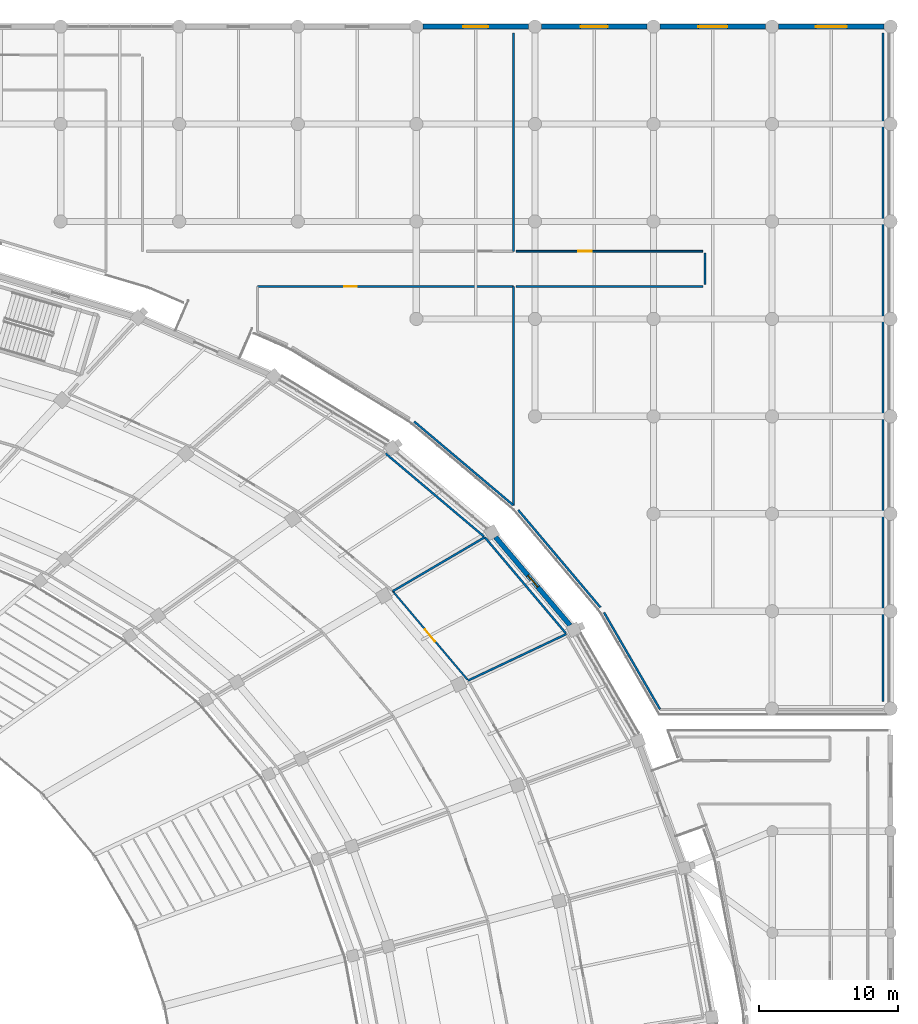
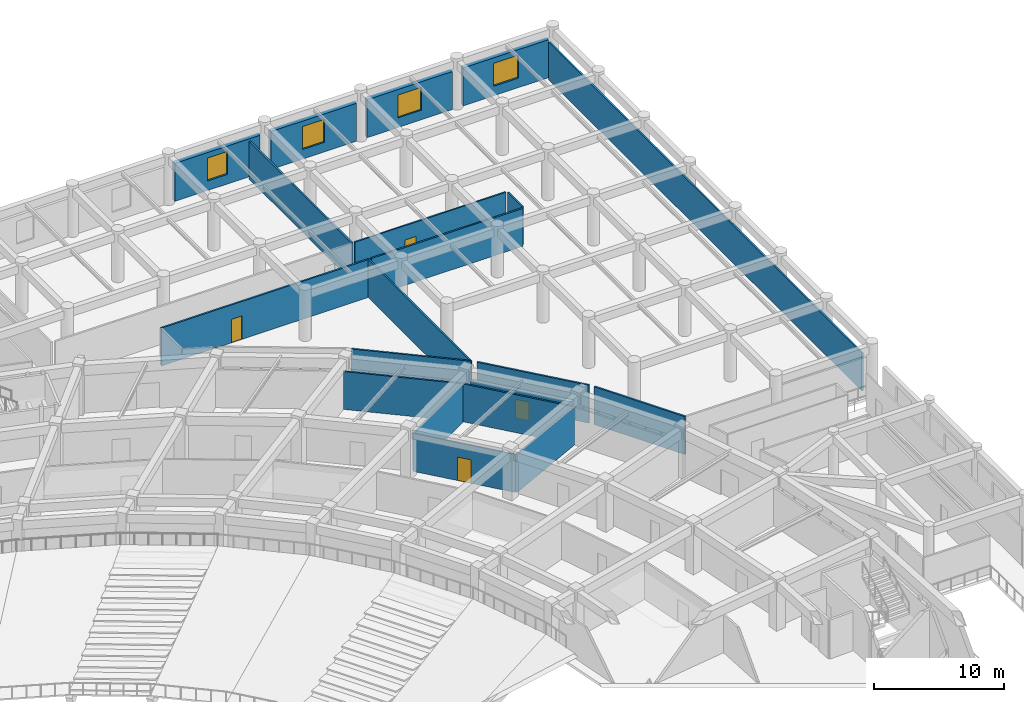
# One storey, part 117 of 152: 20 walls, 5 windows, 3 doors, 8 openings.
"""IFC4 building model written with IfcOpenShell, lengths in metres."""

import ifcopenshell
import ifcopenshell.guid

model = None  # the IFC model being written
_history = None  # IfcOwnerHistory: only IFC2X3 demands one
_inside = {}  # id of a spatial element -> (the spatial element, [elements in it])
_under = {}  # id of a project, library or spatial element -> (it, [spatial elements below it])
_declared = {}  # id of a project -> (the project, [libraries it declares])
_typed = {}  # id of a type object -> (the type object, [elements of that type])
_made_of = {}  # id of a material, layer set ... -> (it, [elements and type objects made of it])


def new_model(schema):
    """Start an empty IFC model of exactly this schema.

    Asked for "IFC4X3", IfcOpenShell would pick the latest addendum, in which some entities
    have other attributes; the version numbers below select the first issue.
    IFC2X3 requires an IfcOwnerHistory on every rooted entity: one is made here for all.
    """
    global model, _history
    if schema == "IFC4X3":
        model = ifcopenshell.file(schema_version=(4, 3, 0, 0))
    else:
        model = ifcopenshell.file(schema=schema)
    _inside.clear()
    _under.clear()
    _declared.clear()
    _typed.clear()
    _made_of.clear()
    _history = None
    if model.schema == "IFC2X3":
        org = make("IfcOrganization", Name="unknown")
        user = make(
            "IfcPersonAndOrganization",
            ThePerson=make("IfcPerson", FamilyName="unknown"),
            TheOrganization=org,
        )
        app = make(
            "IfcApplication",
            ApplicationDeveloper=org,
            Version="unknown",
            ApplicationFullName="unknown",
            ApplicationIdentifier="unknown",
        )
        _history = make(
            "IfcOwnerHistory",
            OwningUser=user,
            OwningApplication=app,
            ChangeAction="ADDED",
            CreationDate=0,
        )
    return model


def make(cls, **values):
    """One entity of the class cls with the attributes given. An attribute that is None is left unset."""
    return model.create_entity(
        cls, **{name: value for name, value in values.items() if value is not None}
    )


def rooted(cls, **values):
    """An entity with a GlobalId (a new one), such as an element, a storey or a relation."""
    return make(cls, GlobalId=ifcopenshell.guid.new(), OwnerHistory=_history, **values)


def si_unit(unit_type, name, prefix=None):
    """IfcSIUnit, for example si_unit("LENGTHUNIT", "METRE", prefix="MILLI")."""
    return make("IfcSIUnit", UnitType=unit_type, Prefix=prefix, Name=name)


def assignment(units):
    """IfcUnitAssignment: the units of a project."""
    return None if units is None else make("IfcUnitAssignment", Units=units)


def point(xyz):
    """IfcCartesianPoint."""
    return None if xyz is None else make("IfcCartesianPoint", Coordinates=xyz)


def direction(xyz):
    """IfcDirection."""
    return None if xyz is None else make("IfcDirection", DirectionRatios=xyz)


def frame(location, z_axis=None, x_axis=None):
    """IfcAxis2Placement3D, a coordinate frame: its origin and axes. An axis left out is left unset."""
    return make(
        "IfcAxis2Placement3D",
        Location=point(location),
        Axis=direction(z_axis),
        RefDirection=direction(x_axis),
    )


def frame_2d(location, x_axis=None):
    """IfcAxis2Placement2D, a coordinate frame in the plane: its origin and x axis."""
    return make(
        "IfcAxis2Placement2D", Location=point(location), RefDirection=direction(x_axis)
    )


def origin():
    """The frame at (0, 0, 0) with its axes left unset."""
    return frame((0.0, 0.0, 0.0))


def place(relative_to, where):
    """IfcLocalPlacement: puts the frame where relative to a parent placement (None: the world)."""
    return make(
        "IfcLocalPlacement", PlacementRelTo=relative_to, RelativePlacement=where
    )


def context(
    kind, dimensions, precision=None, world=None, true_north=None, identifier=None
):
    """IfcGeometricRepresentationContext, for example the 3D "Model" context."""
    return make(
        "IfcGeometricRepresentationContext",
        ContextIdentifier=identifier,
        ContextType=kind,
        CoordinateSpaceDimension=dimensions,
        Precision=precision,
        WorldCoordinateSystem=world,
        TrueNorth=true_north,
    )


def subcontext(parent, identifier, kind, view, scale=None):
    """IfcGeometricRepresentationSubContext, for example "Body" below "Model"."""
    return make(
        "IfcGeometricRepresentationSubContext",
        ContextIdentifier=identifier,
        ContextType=kind,
        ParentContext=parent,
        TargetScale=scale,
        TargetView=view,
    )


def project(units=None, contexts=None):
    """IfcProject with its units and contexts."""
    return rooted(
        "IfcProject",
        Name="project",
        RepresentationContexts=contexts,
        UnitsInContext=assignment(units),
    )


def spatial(cls, under=None, at=None, **own):
    """A site, building, storey or space (cls), placed at a placement, below another one or the project."""
    s = rooted(cls, ObjectPlacement=at, **own)
    if under is not None:
        _under.setdefault(under.id(), (under, []))[1].append(s)
    return s


def profile(cls, at=None, kind="AREA", **sizes):
    """A parametric profile (cls). Its sizes go by their IFC names, for example OverallWidth=200.0."""
    return make(cls, ProfileType=kind, Position=at, **sizes)


def rectangle(**sizes):
    """IfcRectangleProfileDef."""
    return profile("IfcRectangleProfileDef", **sizes)


def extrude(swept, where, along, depth):
    """IfcExtrudedAreaSolid: the profile swept, set in the frame where, extruded along a direction by depth."""
    return make(
        "IfcExtrudedAreaSolid",
        SweptArea=swept,
        Position=where,
        ExtrudedDirection=direction(along),
        Depth=depth,
    )


def shape(context_of_items, identifier, shape_type, items):
    """IfcShapeRepresentation: the items that make up one representation, for example the "Body"."""
    return make(
        "IfcShapeRepresentation",
        ContextOfItems=context_of_items,
        RepresentationIdentifier=identifier,
        RepresentationType=shape_type,
        Items=items,
    )


def material(Name=None, Category=None):
    """IfcMaterial."""
    return make("IfcMaterial", Name=Name, Category=Category)


def layer(
    of_material, thickness, ventilated=None, Name=None, Category=None, Priority=None
):
    """IfcMaterialLayer: one layer of a wall or slab, of a material (None: an air gap)."""
    return make(
        "IfcMaterialLayer",
        Material=of_material,
        LayerThickness=thickness,
        IsVentilated=ventilated,
        Name=Name,
        Category=Category,
        Priority=Priority,
    )


def layer_set(layers, Name=None):
    """IfcMaterialLayerSet."""
    return make("IfcMaterialLayerSet", MaterialLayers=layers, LayerSetName=Name)


def made_of(thing, what):
    """Note that an element or type object is made of a material, layer set ...; save() writes the relation."""
    if what is not None:
        _made_of.setdefault(what.id(), (what, []))[1].append(thing)
    return thing


def type_object(cls, material=None, **own):
    """A type object (cls), such as IfcWallType, which elements share."""
    return made_of(rooted(cls, **own), material)


def element(
    cls,
    number,
    at=None,
    inside=None,
    cuts=None,
    type_object=None,
    material=None,
    context=None,
    identifier="Body",
    shape_type=None,
    held_by="IfcProductDefinitionShape",
    body=None,
    shapes=None,
    **own,
):
    """One element of the class cls, such as IfcWall. Its Tag is "e" and its number.

    at: its placement. inside: the storey or other place that contains it. cuts: it is an
    opening in that element (IfcRelVoidsElement). A single representation is given by context,
    identifier, shape_type and body (its items); several are given by shapes. held_by: the class
    of the entity that holds the representations. save() writes the other relations.
    """
    e = rooted(cls, Tag="e%d" % number, ObjectPlacement=at, **own)
    if body is not None:
        shapes = [shape(context, identifier, shape_type, body)]
    if shapes is not None:
        e.Representation = make(held_by, Representations=shapes)
    if inside is not None:
        _inside.setdefault(inside.id(), (inside, []))[1].append(e)
    if cuts is not None:
        rooted(
            "IfcRelVoidsElement", RelatingBuildingElement=cuts, RelatedOpeningElement=e
        )
    if type_object is not None:
        _typed.setdefault(type_object.id(), (type_object, []))[1].append(e)
    return made_of(e, material)


def fill(opening, filler):
    """IfcRelFillsElement: the door or window that sits in an opening."""
    return rooted(
        "IfcRelFillsElement",
        RelatingOpeningElement=opening,
        RelatedBuildingElement=filler,
    )


def aggregate(whole, parts):
    """IfcRelAggregates: a whole, such as a stair, and the parts it consists of."""
    return rooted("IfcRelAggregates", RelatingObject=whole, RelatedObjects=parts)


def save(model, path):
    """Write the relations noted so far, then the file.

    IfcRelAggregates (storeys below a building ...), IfcRelContainedInSpatialStructure (elements
    in a storey), IfcRelDefinesByType, IfcRelAssociatesMaterial and IfcRelDeclares: one each for
    every whole, place, type object, material and project.
    """
    for whole, parts in _under.values():
        aggregate(whole, parts)
    for where, things in _inside.values():
        rooted(
            "IfcRelContainedInSpatialStructure",
            RelatedElements=things,
            RelatingStructure=where,
        )
    for kind, things in _typed.values():
        rooted("IfcRelDefinesByType", RelatedObjects=things, RelatingType=kind)
    for what, things in _made_of.values():
        rooted("IfcRelAssociatesMaterial", RelatedObjects=things, RelatingMaterial=what)
    for by, libraries in _declared.values():
        rooted("IfcRelDeclares", RelatingContext=by, RelatedDefinitions=libraries)
    model.write(path)


model = new_model("IFC4")

# Units and contexts
model_context = context("Model", 3, precision=1e-05, world=origin(), true_north=direction((0.0, 1.0)))
body_context = subcontext(model_context, "Body", "Model", "MODEL_VIEW")
ifc_project = project(units=[si_unit("LENGTHUNIT", "METRE"), si_unit("AREAUNIT", "SQUARE_METRE"), si_unit("VOLUMEUNIT", "CUBIC_METRE"), si_unit("PLANEANGLEUNIT", "RADIAN"), si_unit("MASSUNIT", "GRAM", prefix="KILO")], contexts=[model_context])

# Site, building, storey
site_placement = place(None, origin())
site = spatial("IfcSite", under=ifc_project, at=site_placement, CompositionType="ELEMENT")
building_placement = place(site_placement, origin())
building = spatial("IfcBuilding", under=site, at=building_placement, Name="Mphavela Belvedere Stadium", CompositionType="ELEMENT")
storey_placement = place(building_placement, frame((0.0, 0.0, 5.39990234375)))
storey = spatial("IfcBuildingStorey", under=building, at=storey_placement, Name="L01", CompositionType="ELEMENT", Elevation=5.39990234375)

# Wall, opening, window
ifc_material_1 = material(Name="Honed ashlar limestone masonry", Category="masonry")
ifc_layer_1 = layer(ifc_material_1, 0.35009765625)
ifc_layer_set_1 = layer_set([ifc_layer_1], Name="Honed ashlar limestone masonry")
wall_type_1 = type_object("IfcWallType", Name="WAL-EXT-ASHLAR-350", PredefinedType="STANDARD", material=ifc_layer_set_1)
wall_1_placement = place(storey_placement, frame((206.969482421875, 130.984619140625, 0.0), z_axis=(0.0, 0.0, 1.0), x_axis=(-0.645167090332, 0.764041507742, 0.0)))
wall_1 = element("IfcWall", 1, at=wall_1_placement, inside=storey, type_object=wall_type_1, Name="Classical ashlar facade wall L01-05", PredefinedType="STANDARD", context=body_context, shape_type="SweptSolid", body=[
    extrude(rectangle(XDim=8.305419921875, YDim=0.35009765625, at=frame_2d((4.15283203125, 0.0))), origin(), (0.0, 0.0, 1.0), 3.570068359375),
])
opening_1_placement = place(wall_1_placement, frame((3.602783203125, 0.0, 0.89990234375)))
opening_1 = element("IfcOpeningElement", 2, at=opening_1_placement, cuts=wall_1, Name="Opening W-012", PredefinedType="OPENING", context=body_context, shape_type="SweptSolid", body=[
    extrude(rectangle(XDim=1.10009765625, YDim=1.75, at=frame_2d((0.550048828125, 0.875))), frame((0.0, 0.18505859375, 0.0), z_axis=(0.0, -1.0, 0.0), x_axis=(1.0, 0.0, 0.0)), (0.0, 0.0, 1.0), 0.3701171875),
])
ifc_material_2 = material(Name="Bronze-anodised thermally broken aluminium window", Category="aluminium")
window_type_1 = type_object("IfcWindowType", Name="WIN-EXT-12", PartitioningType="SINGLE_PANEL", PredefinedType="WINDOW", material=ifc_material_2)
window_1_placement = place(opening_1_placement, origin())
window_1 = element("IfcWindow", 3, at=window_1_placement, inside=storey, type_object=window_type_1, Name="Belvedere gallery window W-012", OverallHeight=1.75, OverallWidth=1.10009765625, PartitioningType="SINGLE_PANEL", PredefinedType="WINDOW", context=body_context, shape_type="SweptSolid", body=[
    extrude(rectangle(XDim=1.10009765625, YDim=1.75, at=frame_2d((0.550048828125, 0.875))), frame((0.0, 0.030029296875, 0.0), z_axis=(0.0, -1.0, 0.0), x_axis=(1.0, 0.0, 0.0)), (0.0, 0.0, 1.0), 0.06005859375),
])
fill(opening_1, window_1)

wall_2_placement = place(storey_placement, frame((196.39892578125, 174.0, 0.0), z_axis=(0.0, 0.0, 1.0), x_axis=(1.0, 0.0, 0.0)))
wall_2 = element("IfcWall", 4, at=wall_2_placement, inside=storey, type_object=wall_type_1, Name="North Mast and Ceremonial End Forecourt outer facade bay L01-24", PredefinedType="STANDARD", context=body_context, shape_type="SweptSolid", body=[
    extrude(rectangle(XDim=7.572021484375, YDim=0.35009765625, at=frame_2d((3.7861328125, 0.0))), origin(), (0.0, 0.0, 1.0), 3.56005859375),
])
opening_2_placement = place(wall_2_placement, frame((2.885986328125, 0.0, 0.89990234375)))
opening_2 = element("IfcOpeningElement", 5, at=opening_2_placement, cuts=wall_2, Name="Opening W-171", PredefinedType="OPENING", context=body_context, shape_type="SweptSolid", body=[
    extrude(rectangle(XDim=1.800048828125, YDim=2.14990234375, at=frame_2d((0.89990234375, 1.074951171875))), frame((0.0, 0.18505859375, 0.0), z_axis=(0.0, -1.0, 0.0), x_axis=(1.0, 0.0, 0.0)), (0.0, 0.0, 1.0), 0.3701171875),
])
ifc_material_3 = material(Name="Bronze-anodised thermally broken aluminium window", Category="aluminium")
window_type_2 = type_object("IfcWindowType", Name="WIN-EXT-39", PartitioningType="SINGLE_PANEL", PredefinedType="WINDOW", material=ifc_material_3)
window_2_placement = place(opening_2_placement, origin())
window_2 = element("IfcWindow", 6, at=window_2_placement, inside=storey, type_object=window_type_2, Name="North Mast and Ceremonial End Forecourt classical window W-171", OverallHeight=2.14990234375, OverallWidth=1.800048828125, PartitioningType="SINGLE_PANEL", PredefinedType="WINDOW", context=body_context, shape_type="SweptSolid", body=[
    extrude(rectangle(XDim=1.800048828125, YDim=2.14990234375, at=frame_2d((0.89990234375, 1.074951171875))), frame((0.0, 0.030029296875, 0.0), z_axis=(0.0, -1.0, 0.0), x_axis=(1.0, 0.0, 0.0)), (0.0, 0.0, 1.0), 0.06005859375),
])
fill(opening_2, window_2)

wall_3_placement = place(storey_placement, frame((204.9169921875, 174.0, 0.0), z_axis=(0.0, 0.0, 1.0), x_axis=(1.0, 0.0, 0.0)))
wall_3 = element("IfcWall", 7, at=wall_3_placement, inside=storey, type_object=wall_type_1, Name="North Mast and Ceremonial End Forecourt outer facade bay L01-25", PredefinedType="STANDARD", context=body_context, shape_type="SweptSolid", body=[
    extrude(rectangle(XDim=7.572998046875, YDim=0.35009765625, at=frame_2d((3.78662109375, 0.0))), origin(), (0.0, 0.0, 1.0), 3.56005859375),
])
opening_3_placement = place(wall_3_placement, frame((2.81640625, 0.0, 0.89990234375)))
opening_3 = element("IfcOpeningElement", 8, at=opening_3_placement, cuts=wall_3, Name="Opening W-172", PredefinedType="OPENING", context=body_context, shape_type="SweptSolid", body=[
    extrude(rectangle(XDim=1.93994140625, YDim=2.14990234375, at=frame_2d((0.969970703125, 1.074951171875))), frame((0.0, 0.18505859375, 0.0), z_axis=(0.0, -1.0, 0.0), x_axis=(1.0, 0.0, 0.0)), (0.0, 0.0, 1.0), 0.3701171875),
])
ifc_material_4 = material(Name="Bronze-anodised thermally broken aluminium window", Category="aluminium")
window_type_3 = type_object("IfcWindowType", Name="WIN-EXT-40", PartitioningType="SINGLE_PANEL", PredefinedType="WINDOW", material=ifc_material_4)
window_3_placement = place(opening_3_placement, origin())
window_3 = element("IfcWindow", 9, at=window_3_placement, inside=storey, type_object=window_type_3, Name="North Mast and Ceremonial End Forecourt classical window W-172", OverallHeight=2.14990234375, OverallWidth=1.93994140625, PartitioningType="SINGLE_PANEL", PredefinedType="WINDOW", context=body_context, shape_type="SweptSolid", body=[
    extrude(rectangle(XDim=1.93994140625, YDim=2.14990234375, at=frame_2d((0.969970703125, 1.074951171875))), frame((0.0, 0.030029296875, 0.0), z_axis=(0.0, -1.0, 0.0), x_axis=(1.0, 0.0, 0.0)), (0.0, 0.0, 1.0), 0.06005859375),
])
fill(opening_3, window_3)

wall_4_placement = place(storey_placement, frame((213.43603515625, 174.0, 0.0), z_axis=(0.0, 0.0, 1.0), x_axis=(1.0, 0.0, 0.0)))
wall_4 = element("IfcWall", 10, at=wall_4_placement, inside=storey, type_object=wall_type_1, Name="North Mast and Ceremonial End Forecourt outer facade bay L01-26", PredefinedType="STANDARD", context=body_context, shape_type="SweptSolid", body=[
    extrude(rectangle(XDim=7.572021484375, YDim=0.35009765625, at=frame_2d((3.7861328125, 0.0))), origin(), (0.0, 0.0, 1.0), 3.56005859375),
])
opening_4_placement = place(wall_4_placement, frame((2.74609375, 0.0, 0.89990234375)))
opening_4 = element("IfcOpeningElement", 11, at=opening_4_placement, cuts=wall_4, Name="Opening W-173", PredefinedType="OPENING", context=body_context, shape_type="SweptSolid", body=[
    extrude(rectangle(XDim=2.080078125, YDim=2.14990234375, at=frame_2d((1.0400390625, 1.074951171875))), frame((0.0, 0.18505859375, 0.0), z_axis=(0.0, -1.0, 0.0), x_axis=(1.0, 0.0, 0.0)), (0.0, 0.0, 1.0), 0.3701171875),
])
ifc_material_5 = material(Name="Bronze-anodised thermally broken aluminium window", Category="aluminium")
window_type_4 = type_object("IfcWindowType", Name="WIN-EXT-41", PartitioningType="SINGLE_PANEL", PredefinedType="WINDOW", material=ifc_material_5)
window_4_placement = place(opening_4_placement, origin())
window_4 = element("IfcWindow", 12, at=window_4_placement, inside=storey, type_object=window_type_4, Name="North Mast and Ceremonial End Forecourt classical window W-173", OverallHeight=2.14990234375, OverallWidth=2.080078125, PartitioningType="SINGLE_PANEL", PredefinedType="WINDOW", context=body_context, shape_type="SweptSolid", body=[
    extrude(rectangle(XDim=2.080078125, YDim=2.14990234375, at=frame_2d((1.0400390625, 1.074951171875))), frame((0.0, 0.030029296875, 0.0), z_axis=(0.0, -1.0, 0.0), x_axis=(1.0, 0.0, 0.0)), (0.0, 0.0, 1.0), 0.06005859375),
])
fill(opening_4, window_4)

wall_5_placement = place(storey_placement, frame((221.9541015625, 174.0, 0.0), z_axis=(0.0, 0.0, 1.0), x_axis=(1.0, 0.0, 0.0)))
wall_5 = element("IfcWall", 13, at=wall_5_placement, inside=storey, type_object=wall_type_1, Name="North Mast and Ceremonial End Forecourt outer facade bay L01-27", PredefinedType="STANDARD", context=body_context, shape_type="SweptSolid", body=[
    extrude(rectangle(XDim=7.572998046875, YDim=0.35009765625, at=frame_2d((3.78662109375, 0.0))), origin(), (0.0, 0.0, 1.0), 3.56005859375),
])
opening_5_placement = place(wall_5_placement, frame((2.676513671875, 0.0, 0.89990234375)))
opening_5 = element("IfcOpeningElement", 14, at=opening_5_placement, cuts=wall_5, Name="Opening W-174", PredefinedType="OPENING", context=body_context, shape_type="SweptSolid", body=[
    extrude(rectangle(XDim=2.219970703125, YDim=2.14990234375, at=frame_2d((1.10986328125, 1.074951171875))), frame((0.0, 0.18505859375, 0.0), z_axis=(0.0, -1.0, 0.0), x_axis=(1.0, 0.0, 0.0)), (0.0, 0.0, 1.0), 0.3701171875),
])
ifc_material_6 = material(Name="Bronze-anodised thermally broken aluminium window", Category="aluminium")
window_type_5 = type_object("IfcWindowType", Name="WIN-EXT-42", PartitioningType="SINGLE_PANEL", PredefinedType="WINDOW", material=ifc_material_6)
window_5_placement = place(opening_5_placement, origin())
window_5 = element("IfcWindow", 15, at=window_5_placement, inside=storey, type_object=window_type_5, Name="North Mast and Ceremonial End Forecourt classical window W-174", OverallHeight=2.14990234375, OverallWidth=2.219970703125, PartitioningType="SINGLE_PANEL", PredefinedType="WINDOW", context=body_context, shape_type="SweptSolid", body=[
    extrude(rectangle(XDim=2.219970703125, YDim=2.14990234375, at=frame_2d((1.10986328125, 1.074951171875))), frame((0.0, 0.030029296875, 0.0), z_axis=(0.0, -1.0, 0.0), x_axis=(1.0, 0.0, 0.0)), (0.0, 0.0, 1.0), 0.06005859375),
])
fill(opening_5, window_5)

# Wall, opening, door
ifc_material_7 = material(Name="Moisture-resistant sanitary partition assembly")
ifc_layer_2 = layer(ifc_material_7, 0.125)
ifc_layer_set_2 = layer_set([ifc_layer_2], Name="Moisture-resistant sanitary partition assembly")
wall_type_2 = type_object("IfcWallType", Name="WAL-PART-125", PredefinedType="PARTITIONING", material=ifc_layer_set_2)
wall_6_placement = place(storey_placement, frame((199.59521484375, 127.0859375, 0.0), z_axis=(0.0, 0.0, 1.0), x_axis=(-0.64516519871, 0.76404310505, 0.0)))
wall_6 = element("IfcWall", 16, at=wall_6_placement, inside=storey, type_object=wall_type_2, Name="Room L01-46 corridor partition", PredefinedType="PARTITIONING", context=body_context, shape_type="SweptSolid", body=[
    extrude(rectangle(XDim=8.3134765625, YDim=0.125, at=frame_2d((4.15673828125, 0.0))), origin(), (0.0, 0.0, 1.0), 3.550048828125),
])
opening_6_placement = place(wall_6_placement, frame((3.606689453125, 0.0, 0.0)))
opening_6 = element("IfcOpeningElement", 17, at=opening_6_placement, cuts=wall_6, Name="Opening ID-090", PredefinedType="OPENING", context=body_context, shape_type="SweptSolid", body=[
    extrude(rectangle(XDim=1.10009765625, YDim=2.199951171875, at=frame_2d((0.550048828125, 1.10009765625))), frame((0.0, 0.072509765625, 0.0), z_axis=(0.0, -1.0, 0.0), x_axis=(1.0, 0.0, 0.0)), (0.0, 0.0, 1.0), 0.14501953125),
])
ifc_material_8 = material(Name="Hardwood acoustic timber doorset", Category="wood")
door_type_1 = type_object("IfcDoorType", Name="DR-INT-18", OperationType="NOTDEFINED", PredefinedType="DOOR", material=ifc_material_8)
door_1_placement = place(opening_6_placement, origin())
door_1 = element("IfcDoor", 18, at=door_1_placement, inside=storey, type_object=door_type_1, Name="Room L01-46 entrance door ID-090", OperationType="SINGLE_SWING_RIGHT", OverallHeight=2.199951171875, OverallWidth=1.10009765625, PredefinedType="DOOR", context=body_context, shape_type="SweptSolid", body=[
    extrude(rectangle(XDim=1.10009765625, YDim=2.199951171875, at=frame_2d((0.550048828125, 1.10009765625))), frame((0.0, 0.02490234375, 0.0), z_axis=(0.0, -1.0, 0.0), x_axis=(1.0, 0.0, 0.0)), (0.0, 0.0, 1.0), 0.050048828125),
])
fill(opening_6, door_1)

wall_7_placement = place(storey_placement, frame((216.5, 157.860107421875, 0.0), z_axis=(0.0, 0.0, 1.0), x_axis=(-1.0, 0.0, 0.0)))
wall_7 = element("IfcWall", 19, at=wall_7_placement, inside=storey, type_object=wall_type_2, Name="Room L01-183 corridor partition", PredefinedType="PARTITIONING", context=body_context, shape_type="SweptSolid", body=[
    extrude(rectangle(XDim=13.39990234375, YDim=0.125, at=frame_2d((6.699951171875, 0.0))), origin(), (0.0, 0.0, 1.0), 3.550048828125),
])
opening_7_placement = place(wall_7_placement, frame((7.97705078125, 0.0, 0.0)))
opening_7 = element("IfcOpeningElement", 20, at=opening_7_placement, cuts=wall_7, Name="Opening ID-447", PredefinedType="OPENING", context=body_context, shape_type="SweptSolid", body=[
    extrude(rectangle(XDim=0.97998046875, YDim=2.199951171875, at=frame_2d((0.489990234375, 1.10009765625))), frame((0.0, 0.072509765625, 0.0), z_axis=(0.0, -1.0, 0.0), x_axis=(1.0, 0.0, 0.0)), (0.0, 0.0, 1.0), 0.14501953125),
])
ifc_material_9 = material(Name="Hardwood acoustic timber doorset", Category="wood")
door_type_2 = type_object("IfcDoorType", Name="DR-INT-15", OperationType="NOTDEFINED", PredefinedType="DOOR", material=ifc_material_9)
door_2_placement = place(opening_7_placement, origin())
door_2 = element("IfcDoor", 21, at=door_2_placement, inside=storey, type_object=door_type_2, Name="Room L01-183 entrance door ID-447", OperationType="SINGLE_SWING_LEFT", OverallHeight=2.199951171875, OverallWidth=0.97998046875, PredefinedType="DOOR", context=body_context, shape_type="SweptSolid", body=[
    extrude(rectangle(XDim=0.97998046875, YDim=2.199951171875, at=frame_2d((0.489990234375, 1.10009765625))), frame((0.0, 0.02490234375, 0.0), z_axis=(0.0, -1.0, 0.0), x_axis=(1.0, 0.0, 0.0)), (0.0, 0.0, 1.0), 0.050048828125),
])
fill(opening_7, door_2)

ifc_material_10 = material(Name="Acoustic gypsum stud partition assembly")
ifc_layer_3 = layer(ifc_material_10, 0.14990234375)
ifc_layer_set_3 = layer_set([ifc_layer_3], Name="Acoustic gypsum stud partition assembly")
wall_type_3 = type_object("IfcWallType", Name="WAL-PART-150", PredefinedType="PARTITIONING", material=ifc_layer_set_3)
wall_8_placement = place(storey_placement, frame((184.510009765625, 155.340087890625, 0.0), z_axis=(0.0, 0.0, 1.0), x_axis=(1.0, 0.0, 0.0)))
wall_8 = element("IfcWall", 22, at=wall_8_placement, inside=storey, type_object=wall_type_3, Name="Room L01-181 corridor partition", PredefinedType="PARTITIONING", context=body_context, shape_type="SweptSolid", body=[
    extrude(rectangle(XDim=18.389892578125, YDim=0.14990234375, at=frame_2d((9.19482421875, 0.0))), origin(), (0.0, 0.0, 1.0), 3.550048828125),
])
opening_8_placement = place(wall_8_placement, frame((6.217529296875, 0.0, 0.0)))
opening_8 = element("IfcOpeningElement", 23, at=opening_8_placement, cuts=wall_8, Name="Opening ID-445", PredefinedType="OPENING", context=body_context, shape_type="SweptSolid", body=[
    extrude(rectangle(XDim=0.89990234375, YDim=2.199951171875, at=frame_2d((0.449951171875, 1.10009765625))), frame((0.0, 0.0849609375, 0.0), z_axis=(0.0, -1.0, 0.0), x_axis=(1.0, 0.0, 0.0)), (0.0, 0.0, 1.0), 0.169921875),
])
ifc_material_11 = material(Name="Hardwood acoustic timber doorset", Category="wood")
door_type_3 = type_object("IfcDoorType", Name="DR-INT-13", OperationType="NOTDEFINED", PredefinedType="DOOR", material=ifc_material_11)
door_3_placement = place(opening_8_placement, origin())
door_3 = element("IfcDoor", 24, at=door_3_placement, inside=storey, type_object=door_type_3, Name="Room L01-181 entrance door ID-445", OperationType="SINGLE_SWING_LEFT", OverallHeight=2.199951171875, OverallWidth=0.89990234375, PredefinedType="DOOR", context=body_context, shape_type="SweptSolid", body=[
    extrude(rectangle(XDim=0.89990234375, YDim=2.199951171875, at=frame_2d((0.449951171875, 1.10009765625))), frame((0.0, 0.02490234375, 0.0), z_axis=(0.0, -1.0, 0.0), x_axis=(1.0, 0.0, 0.0)), (0.0, 0.0, 1.0), 0.050048828125),
])
fill(opening_8, door_3)

# Walls
wall_9_placement = place(storey_placement, frame((199.64111328125, 127.01904296875, 0.0), z_axis=(0.0, 0.0, 1.0), x_axis=(0.903854859666, 0.427839213559, 0.0)))
element("IfcWall", 25, at=wall_9_placement, inside=storey, type_object=wall_type_3, Name="Room divider partition L01-0151", PredefinedType="PARTITIONING", context=body_context, shape_type="SweptSolid", body=[
    extrude(rectangle(XDim=7.814208984375, YDim=0.14990234375, at=frame_2d((3.9072265625, 0.0))), origin(), (0.0, 0.0, 1.0), 3.550048828125),
])
wall_10_placement = place(storey_placement, frame((194.231689453125, 133.437744140625, 0.0), z_axis=(0.0, 0.0, 1.0), x_axis=(0.862520085009, 0.506022828492, 0.0)))
element("IfcWall", 26, at=wall_10_placement, inside=storey, type_object=wall_type_3, Name="Room divider partition L01-0155", PredefinedType="PARTITIONING", context=body_context, shape_type="SweptSolid", body=[
    extrude(rectangle(XDim=7.66259765625, YDim=0.14990234375, at=frame_2d((3.831298828125, 0.0))), origin(), (0.0, 0.0, 1.0), 3.550048828125),
])
wall_11_placement = place(storey_placement, frame((200.8408203125, 137.315185546875, 0.0), z_axis=(0.0, 0.0, 1.0), x_axis=(0.645166061073, -0.764042376861, 0.0)))
element("IfcWall", 27, at=wall_11_placement, inside=storey, type_object=wall_type_3, Name="Room divider partition L01-0156", PredefinedType="PARTITIONING", context=body_context, shape_type="SweptSolid", body=[
    extrude(rectangle(XDim=9.013916015625, YDim=0.14990234375, at=frame_2d((4.5068359375, 0.0))), origin(), (0.0, 0.0, 1.0), 3.550048828125),
])
wall_12_placement = place(storey_placement, frame((193.70556640625, 143.343017578125, 0.0), z_axis=(0.0, 0.0, 1.0), x_axis=(0.764252893528, -0.644916672706, 0.0)))
element("IfcWall", 28, at=wall_12_placement, inside=storey, type_object=wall_type_3, Name="Room divider partition L01-0160", PredefinedType="PARTITIONING", context=body_context, shape_type="SweptSolid", body=[
    extrude(rectangle(XDim=9.25732421875, YDim=0.14990234375, at=frame_2d((4.628662109375, 0.0))), origin(), (0.0, 0.0, 1.0), 3.550048828125),
])
wall_13_placement = place(storey_placement, frame((202.89990234375, 155.340087890625, 0.0), z_axis=(0.0, 0.0, 1.0), x_axis=(0.0, -1.0, 0.0)))
element("IfcWall", 29, at=wall_13_placement, inside=storey, type_object=wall_type_3, Name="Room divider partition L01-0963", PredefinedType="PARTITIONING", context=body_context, shape_type="SweptSolid", body=[
    extrude(rectangle(XDim=15.7333984375, YDim=0.14990234375, at=frame_2d((7.86669921875, 0.0))), origin(), (0.0, 0.0, 1.0), 3.550048828125),
])
wall_14_placement = place(storey_placement, frame((202.89990234375, 139.606689453125, 0.0), z_axis=(0.0, 0.0, 1.0), x_axis=(-0.764245949545, 0.644924901523, 0.0)))
element("IfcWall", 30, at=wall_14_placement, inside=storey, type_object=wall_type_3, Name="Room divider partition L01-0964", PredefinedType="PARTITIONING", context=body_context, shape_type="SweptSolid", body=[
    extrude(rectangle(XDim=9.332275390625, YDim=0.14990234375, at=frame_2d((4.666015625, 0.0))), origin(), (0.0, 0.0, 1.0), 3.550048828125),
])
wall_15_placement = place(storey_placement, frame((202.89990234375, 173.550048828125, 0.0), z_axis=(0.0, 0.0, 1.0), x_axis=(0.0, -1.0, 0.0)))
element("IfcWall", 31, at=wall_15_placement, inside=storey, type_object=wall_type_3, Name="Room divider partition L01-0965", PredefinedType="PARTITIONING", context=body_context, shape_type="SweptSolid", body=[
    extrude(rectangle(XDim=15.68994140625, YDim=0.14990234375, at=frame_2d((7.844970703125, 0.0))), origin(), (0.0, 0.0, 1.0), 3.550048828125),
])
wall_16_placement = place(storey_placement, frame((209.152587890625, 132.2744140625, 0.0), z_axis=(0.0, 0.0, 1.0), x_axis=(-0.645180125691, 0.764030500316, 0.0)))
element("IfcWall", 32, at=wall_16_placement, inside=storey, type_object=wall_type_3, Name="Room divider partition L01-0966", PredefinedType="PARTITIONING", context=body_context, shape_type="SweptSolid", body=[
    extrude(rectangle(XDim=9.1513671875, YDim=0.14990234375, at=frame_2d((4.57568359375, 0.0))), origin(), (0.0, 0.0, 1.0), 3.550048828125),
])
wall_17_placement = place(storey_placement, frame((203.10009765625, 155.340087890625, 0.0), z_axis=(0.0, 0.0, 1.0), x_axis=(0.99999997621, 0.00021812629, 0.0)))
element("IfcWall", 33, at=wall_17_placement, inside=storey, type_object=wall_type_3, Name="Room divider partition L01-0967", PredefinedType="PARTITIONING", context=body_context, shape_type="SweptSolid", body=[
    extrude(rectangle(XDim=13.43115234375, YDim=0.14990234375, at=frame_2d((6.715576171875, 0.0))), origin(), (0.0, 0.0, 1.0), 3.550048828125),
])
wall_18_placement = place(storey_placement, frame((216.6591796875, 155.484375, 0.0), z_axis=(0.0, 0.0, 1.0), x_axis=(-0.000977941508, 0.999999521815, 0.0)))
element("IfcWall", 34, at=wall_18_placement, inside=storey, type_object=wall_type_3, Name="Room divider partition L01-0968", PredefinedType="PARTITIONING", context=body_context, shape_type="SweptSolid", body=[
    extrude(rectangle(XDim=2.246826171875, YDim=0.14990234375, at=frame_2d((1.12353515625, 0.0))), origin(), (0.0, 0.0, 1.0), 3.550048828125),
])
wall_19_placement = place(storey_placement, frame((229.449951171875, 173.550048828125, 0.0), z_axis=(0.0, 0.0, 1.0), x_axis=(0.0, -1.0, 0.0)))
element("IfcWall", 35, at=wall_19_placement, inside=storey, type_object=wall_type_3, Name="Room divider partition L01-0969", PredefinedType="PARTITIONING", context=body_context, shape_type="SweptSolid", body=[
    extrude(rectangle(XDim=48.050048828125, YDim=0.14990234375, at=frame_2d((24.02490234375, 0.0))), origin(), (0.0, 0.0, 1.0), 3.550048828125),
])
wall_20_placement = place(storey_placement, frame((213.4326171875, 124.949951171875, 0.0), z_axis=(0.0, 0.0, 1.0), x_axis=(-0.500545605998, 0.865710168773, 0.0)))
element("IfcWall", 36, at=wall_20_placement, inside=storey, type_object=wall_type_3, Name="Room divider partition L01-0971", PredefinedType="PARTITIONING", context=body_context, shape_type="SweptSolid", body=[
    extrude(rectangle(XDim=8.04296875, YDim=0.14990234375, at=frame_2d((4.021484375, 0.0))), origin(), (0.0, 0.0, 1.0), 3.550048828125),
])

save(model, "model.ifc")
